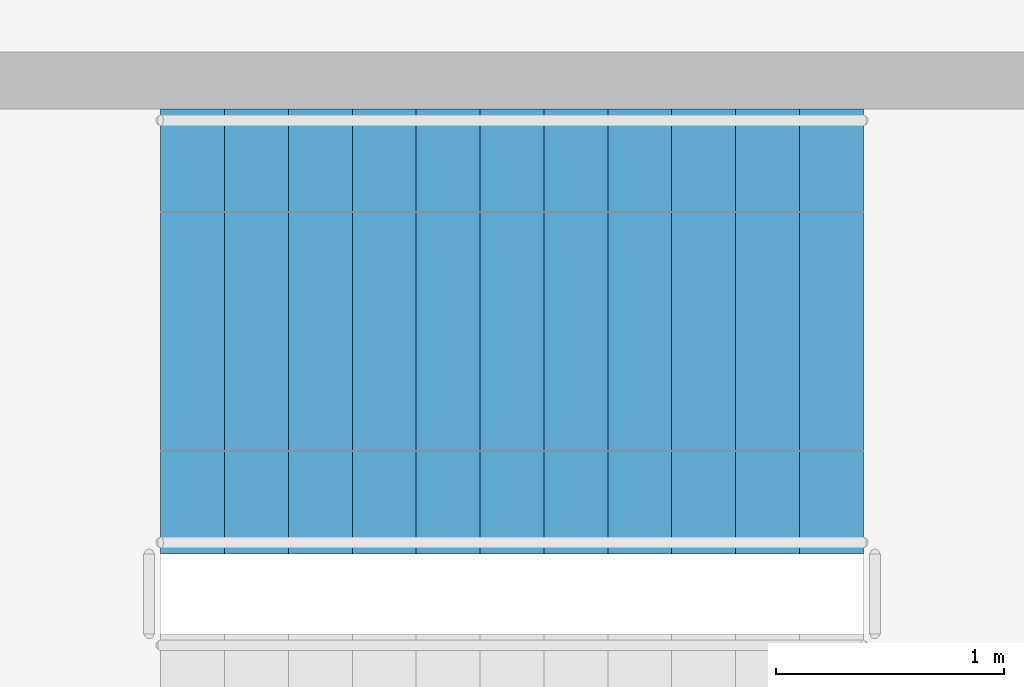
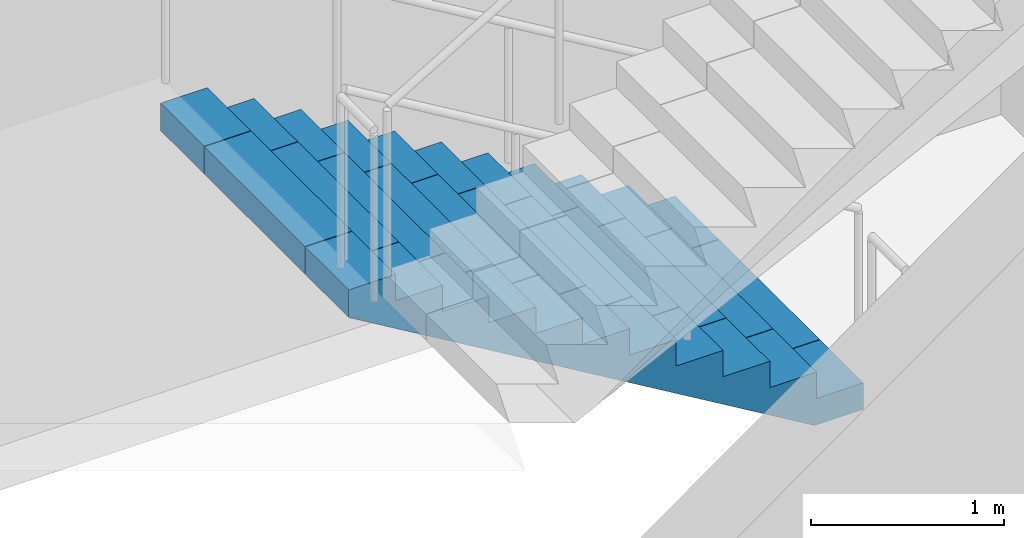
# One storey, part 13 of 15: 1 stair flight, 1 element without a shape of its own.
"""IFC4 building model written with IfcOpenShell, lengths in metres."""

from ifc_helpers import new_model, si_unit, direction, frame, origin, place, context, subcontext, project, spatial, polyline, outline, extrude, material, type_object, element, aggregate, save


model = new_model("IFC4")

# Units and contexts
model_context = context("Model", 3, precision=1e-05, world=origin(), true_north=direction((0.0, 1.0)))
body_context = subcontext(model_context, "Body", "Model", "MODEL_VIEW")
ifc_project = project(units=[si_unit("LENGTHUNIT", "METRE"), si_unit("AREAUNIT", "SQUARE_METRE"), si_unit("VOLUMEUNIT", "CUBIC_METRE"), si_unit("PLANEANGLEUNIT", "RADIAN"), si_unit("MASSUNIT", "GRAM", prefix="KILO")], contexts=[model_context])

# Site, building, storey
site_placement = place(None, origin())
site = spatial("IfcSite", under=ifc_project, at=site_placement, CompositionType="ELEMENT")
building_placement = place(site_placement, origin())
building = spatial("IfcBuilding", under=site, at=building_placement, Name="Corbelhall Arena Tower", CompositionType="ELEMENT")
storey_placement = place(building_placement, frame((0.0, 0.0, 212.0)))
storey = spatial("IfcBuildingStorey", under=building, at=storey_placement, Name="L44", CompositionType="ELEMENT", Elevation=212.0)

# Stair, stair flight
ifc_material = material(Name="Concrete C40/50", Category="concrete")
stair_type = type_object("IfcStairType", Name="IN-ST-TOWER", PredefinedType="HALF_TURN_STAIR", material=ifc_material)
stair_placement = place(storey_placement, origin())
stair = element("IfcStair", 1, at=stair_placement, inside=storey, type_object=stair_type, Name="L44 Exit stair ST3", PredefinedType="HALF_TURN_STAIR")
stair_flight_type = type_object("IfcStairFlightType", Name="IN-SFL-RC", PredefinedType="STRAIGHT", material=ifc_material)
stair_flight_placement = place(storey_placement, frame((11.425048828125, 15.699951171875, 0.0), z_axis=(0.0, 0.0, 1.0), x_axis=(-1.0, 0.0, 0.0)))
stair_flight = element("IfcStairFlight", 2, at=stair_flight_placement, type_object=stair_flight_type, Name="ST3 flight 1", NumberOfRisers=12, NumberOfTreads=11, PredefinedType="STRAIGHT", RiserHeight=0.166666667, TreadLength=0.28, context=body_context, shape_type="SweptSolid", body=[
    extrude(outline(polyline([(0.0, 0.0), (0.0, 0.166748046875), (0.280029296875, 0.166748046875), (0.280029296875, 0.333251953125), (0.56005859375, 0.333251953125), (0.56005859375, 0.5), (0.840087890625, 0.5), (0.840087890625, 0.666748046875), (1.1201171875, 0.666748046875), (1.1201171875, 0.833251953125), (1.39990234375, 0.833251953125), (1.39990234375, 1.0), (1.679931640625, 1.0), (1.679931640625, 1.166748046875), (1.9599609375, 1.166748046875), (1.9599609375, 1.333251953125), (2.239990234375, 1.333251953125), (2.239990234375, 1.5), (2.52001953125, 1.5), (2.52001953125, 1.666748046875), (2.800048828125, 1.666748046875), (2.800048828125, 1.833251953125), (3.080078125, 1.833251953125), (3.080078125, 2.0), (3.080078125, 1.658935546875), (0.29296875, 0.0), (0.0, 0.0)])), frame((0.0, 0.97509765625, 0.0), z_axis=(0.0, -1.0, 0.0), x_axis=(1.0, 0.0, 0.0)), (0.0, 0.0, 1.0), 0.449951171875),
    extrude(outline(polyline([(0.0, 0.0), (0.0, 0.166748046875), (0.280029296875, 0.166748046875), (0.280029296875, 0.333251953125), (0.56005859375, 0.333251953125), (0.56005859375, 0.5), (0.840087890625, 0.5), (0.840087890625, 0.666748046875), (1.1201171875, 0.666748046875), (1.1201171875, 0.833251953125), (1.39990234375, 0.833251953125), (1.39990234375, 1.0), (1.679931640625, 1.0), (1.679931640625, 1.166748046875), (1.9599609375, 1.166748046875), (1.9599609375, 1.333251953125), (2.239990234375, 1.333251953125), (2.239990234375, 1.5), (2.52001953125, 1.5), (2.52001953125, 1.666748046875), (2.800048828125, 1.666748046875), (2.800048828125, 1.833251953125), (3.080078125, 1.833251953125), (3.080078125, 2.0), (3.080078125, 1.658935546875), (0.29296875, 0.0), (0.0, 0.0)])), frame((0.0, 0.52099609375, 0.0), z_axis=(0.0, -1.0, 0.0), x_axis=(1.0, 0.0, 0.0)), (0.0, 0.0, 1.0), 1.0419921875),
    extrude(outline(polyline([(0.0, 0.0), (0.0, 0.166748046875), (0.280029296875, 0.166748046875), (0.280029296875, 0.333251953125), (0.56005859375, 0.333251953125), (0.56005859375, 0.5), (0.840087890625, 0.5), (0.840087890625, 0.666748046875), (1.1201171875, 0.666748046875), (1.1201171875, 0.833251953125), (1.39990234375, 0.833251953125), (1.39990234375, 1.0), (1.679931640625, 1.0), (1.679931640625, 1.166748046875), (1.9599609375, 1.166748046875), (1.9599609375, 1.333251953125), (2.239990234375, 1.333251953125), (2.239990234375, 1.5), (2.52001953125, 1.5), (2.52001953125, 1.666748046875), (2.800048828125, 1.666748046875), (2.800048828125, 1.833251953125), (3.080078125, 1.833251953125), (3.080078125, 2.0), (3.080078125, 1.658935546875), (0.29296875, 0.0), (0.0, 0.0)])), frame((0.0, -0.52490234375, 0.0), z_axis=(0.0, -1.0, 0.0), x_axis=(1.0, 0.0, 0.0)), (0.0, 0.0, 1.0), 0.449951171875),
])
aggregate(stair, [stair_flight])

save(model, "model.ifc")
